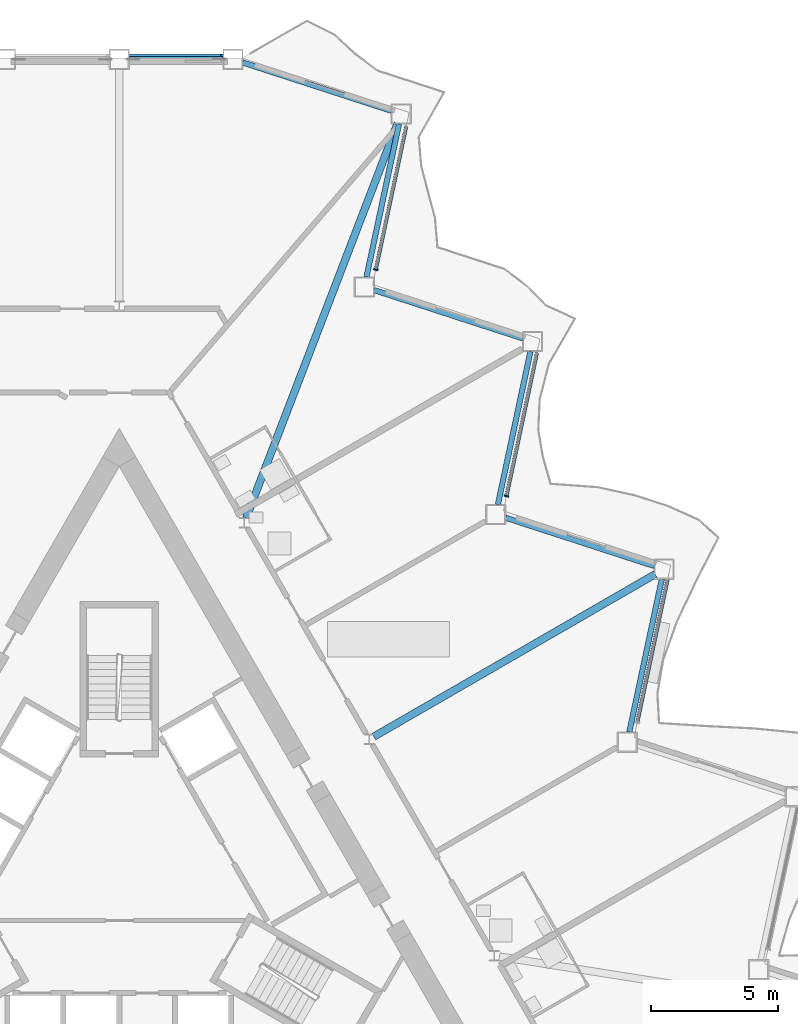
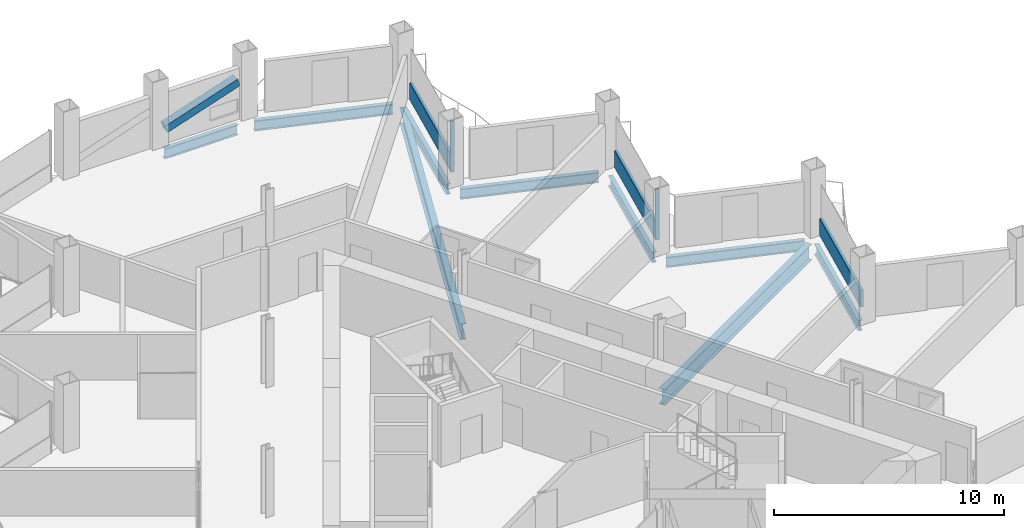
# One storey, part 8 of 22: 9 beams, 6 members, 3 elements without a shape of their own.
"""IFC4 building model written with IfcOpenShell, lengths in metres."""

from ifc_helpers import new_model, si_unit, direction, frame, origin, origin_2d, place, context, subcontext, project, spatial, rectangle, hollow_rectangle, i_section, extrude, material, layer, layer_set, material_profile, profile_set, type_object, element, aggregate, save


model = new_model("IFC4")

# Units and contexts
model_context = context("Model", 3, precision=1e-05, world=origin(), true_north=direction((0.0, 1.0)))
body_context = subcontext(model_context, "Body", "Model", "MODEL_VIEW")
ifc_project = project(units=[si_unit("LENGTHUNIT", "METRE"), si_unit("AREAUNIT", "SQUARE_METRE"), si_unit("VOLUMEUNIT", "CUBIC_METRE"), si_unit("PLANEANGLEUNIT", "RADIAN"), si_unit("MASSUNIT", "GRAM", prefix="KILO")], contexts=[model_context])

# Site, building, storey
site_placement = place(None, origin())
site = spatial("IfcSite", under=ifc_project, at=site_placement, CompositionType="ELEMENT")
building_placement = place(site_placement, origin())
building = spatial("IfcBuilding", under=site, at=building_placement, Name="Cormorant Prow Tower", CompositionType="ELEMENT")
storey_placement = place(building_placement, frame((0.0, 0.0, 190.800048828125)))
storey = spatial("IfcBuildingStorey", under=building, at=storey_placement, Name="L41", CompositionType="ELEMENT", Elevation=190.800048828125)

# Member
ifc_material_1 = material(Name="Structural steel ASTM A500 Gr C", Category="steel")
ifc_material_profile_1 = material_profile(ifc_material_1, hollow_rectangle(XDim=0.406494140625, YDim=0.406494140625, WallThickness=0.01171875, at=origin_2d()), Name="HSS16x16x1/2")
ifc_profile_set_1 = profile_set([ifc_material_profile_1], Name="Structural steel ASTM A500 Gr C")
member_type_1 = type_object("IfcMemberType", Name="Chamfer brace HSS16x16x1/2", PredefinedType="BRACE", material=ifc_profile_set_1)
member_1_placement = place(storey_placement, frame((0.417236328125, 32.3994140625, 0.739990234375), z_axis=(0.947999999098, 0.0, 0.318270328039), x_axis=(0.0, 1.0, 0.0)))
element("IfcMember", 1, at=member_1_placement, inside=storey, type_object=member_type_1, Name="Chamfer brace BR2 at N00 L41", PredefinedType="BRACE", context=body_context, shape_type="SweptSolid", body=[
    extrude(hollow_rectangle(XDim=0.406494140625, YDim=0.406494140625, WallThickness=0.01171875, at=origin_2d()), origin(), (0.0, 0.0, 1.0), 3.83544921875),
])

# Curtain wall, member
ifc_material_2 = material(Name="Aluminium 6063-T6", Category="aluminium")
ifc_layer = layer(ifc_material_2, 0.179931640625)
ifc_layer_set = layer_set([ifc_layer], Name="Aluminium 6063-T6")
curtain_wall_type = type_object("IfcCurtainWallType", Name="Hotel unitised curtain wall 180", PredefinedType="NOTDEFINED", material=ifc_layer_set)
curtain_wall_1_placement = place(storey_placement, origin())
curtain_wall_1 = element("IfcCurtainWall", 2, at=curtain_wall_1_placement, inside=storey, type_object=curtain_wall_type, Name="Hotel curtain wall ENE06", PredefinedType="NOTDEFINED")
ifc_material_3 = material(Name="Aluminium 6063-T6", Category="aluminium")
ifc_material_profile_2 = material_profile(ifc_material_3, rectangle(XDim=0.179931640625, YDim=0.06005859375, at=origin_2d()), Name="Hotel mullion 60x180")
ifc_profile_set_2 = profile_set([ifc_material_profile_2], Name="Aluminium 6063-T6")
member_type_2 = type_object("IfcMemberType", Name="Hotel mullion 60x180", PredefinedType="MULLION", material=ifc_profile_set_2)
member_2_placement = place(storey_placement, frame((15.22119140625, 15.234619140625, 0.0), z_axis=(0.0, 0.0, 1.0), x_axis=(-0.978147607432, 0.207911659303, 0.0)))
member_2 = element("IfcMember", 3, at=member_2_placement, type_object=member_type_2, Name="Hotel mullion ENE06", PredefinedType="MULLION", context=body_context, shape_type="SweptSolid", body=[
    extrude(rectangle(XDim=0.179931640625, YDim=0.06005859375, at=origin_2d()), origin(), (0.0, 0.0, 1.0), 2.700927734375),
])

curtain_wall_2_placement = place(storey_placement, origin())
curtain_wall_2 = element("IfcCurtainWall", 4, at=curtain_wall_2_placement, inside=storey, type_object=curtain_wall_type, Name="Hotel curtain wall ENE08", PredefinedType="NOTDEFINED")
member_3_placement = place(storey_placement, frame((10.08251953125, 24.134765625, 0.0), z_axis=(0.0, 0.0, 1.0), x_axis=(-0.978147607432, 0.207911659303, 0.0)))
member_3 = element("IfcMember", 5, at=member_3_placement, type_object=member_type_2, Name="Hotel mullion ENE08", PredefinedType="MULLION", context=body_context, shape_type="SweptSolid", body=[
    extrude(rectangle(XDim=0.179931640625, YDim=0.06005859375, at=origin_2d()), origin(), (0.0, 0.0, 1.0), 2.700927734375),
])

curtain_wall_3_placement = place(storey_placement, origin())
curtain_wall_3 = element("IfcCurtainWall", 6, at=curtain_wall_3_placement, inside=storey, type_object=curtain_wall_type, Name="Hotel curtain wall ENE04", PredefinedType="NOTDEFINED")
ifc_material_4 = material(Name="Terracotta", Category="masonry")
ifc_material_profile_3 = material_profile(ifc_material_4, rectangle(XDim=0.139892578125, YDim=0.89990234375, at=origin_2d()), Name="Hotel terracotta spandrel rail 140x900")
ifc_profile_set_3 = profile_set([ifc_material_profile_3], Name="Terracotta")
member_type_3 = type_object("IfcMemberType", Name="Hotel terracotta spandrel rail 140x900", PredefinedType="USERDEFINED", material=ifc_profile_set_3)
member_4_placement = place(storey_placement, frame((20.365966796875, 6.36376953125, 0.449951171875), z_axis=(0.207875606044, 0.978155270093, 0.0), x_axis=(-0.978155270093, 0.207875606044, 0.0)))
member_4 = element("IfcMember", 7, at=member_4_placement, type_object=member_type_3, Name="Hotel spandrel rail ENE04", ObjectType="TRANSOM", PredefinedType="USERDEFINED", context=body_context, shape_type="SweptSolid", body=[
    extrude(rectangle(XDim=0.139892578125, YDim=0.89990234375, at=origin_2d()), origin(), (0.0, 0.0, 1.0), 5.718505859375),
])
aggregate(curtain_wall_3, [member_4])

# Member
member_5_placement = place(storey_placement, frame((15.227294921875, 15.263916015625, 0.449951171875), z_axis=(0.207916454305, 0.978146588211, 0.0), x_axis=(-0.978146588211, 0.207916454305, 0.0)))
member_5 = element("IfcMember", 8, at=member_5_placement, type_object=member_type_3, Name="Hotel spandrel rail ENE06", ObjectType="TRANSOM", PredefinedType="USERDEFINED", context=body_context, shape_type="SweptSolid", body=[
    extrude(rectangle(XDim=0.139892578125, YDim=0.89990234375, at=origin_2d()), origin(), (0.0, 0.0, 1.0), 5.718505859375),
])

aggregate(curtain_wall_1, [member_2, member_5])

member_6_placement = place(storey_placement, frame((10.0888671875, 24.1640625, 0.449951171875), z_axis=(0.207916454305, 0.978146588211, 0.0), x_axis=(-0.978146588211, 0.207916454305, 0.0)))
member_6 = element("IfcMember", 9, at=member_6_placement, type_object=member_type_3, Name="Hotel spandrel rail ENE08", ObjectType="TRANSOM", PredefinedType="USERDEFINED", context=body_context, shape_type="SweptSolid", body=[
    extrude(rectangle(XDim=0.139892578125, YDim=0.89990234375, at=origin_2d()), origin(), (0.0, 0.0, 1.0), 5.718505859375),
])

aggregate(curtain_wall_2, [member_3, member_6])

# Beams
ifc_material_5 = material(Name="Structural steel ASTM A992 Gr 50", Category="steel")
ifc_material_profile_4 = material_profile(ifc_material_5, i_section(OverallWidth=0.29296875, OverallDepth=0.845703125, WebThickness=0.015380859375, FlangeThickness=0.0244140625, at=origin_2d()), Name="W33x141")
ifc_profile_set_4 = profile_set([ifc_material_profile_4], Name="Structural steel ASTM A992 Gr 50")
beam_type_1 = type_object("IfcBeamType", Name="Radial floor beam W33x141", PredefinedType="BEAM", material=ifc_profile_set_4)
beam_1_placement = place(storey_placement, frame((10.0048828125, 5.7763671875, -0.77294921875), z_axis=(0.866026069776, 0.499998846467, 0.0), x_axis=(-0.499998846467, 0.866026069776, 0.0)))
element("IfcBeam", 10, at=beam_1_placement, inside=storey, type_object=beam_type_1, Name="Radial floor beam FB2 11 L41", PredefinedType="BEAM", context=body_context, shape_type="SweptSolid", body=[
    extrude(i_section(OverallWidth=0.29296875, OverallDepth=0.845703125, WebThickness=0.015380859375, FlangeThickness=0.0244140625, at=origin_2d()), origin(), (0.0, 0.0, 1.0), 12.76904296875),
])
beam_2_placement = place(storey_placement, frame((4.9873046875, 14.376220703125, -0.77294921875), z_axis=(0.358301123829, 0.933606075742, 0.0), x_axis=(-0.933606075742, 0.358301123829, 0.0)))
element("IfcBeam", 11, at=beam_2_placement, inside=storey, type_object=beam_type_1, Name="Radial floor beam FB2 12 L41", PredefinedType="BEAM", context=body_context, shape_type="SweptSolid", body=[
    extrude(i_section(OverallWidth=0.29296875, OverallDepth=0.845703125, WebThickness=0.015380859375, FlangeThickness=0.0244140625, at=origin_2d()), origin(), (0.0, 0.0, 1.0), 16.604736328125),
])
ifc_material_6 = material(Name="Structural steel ASTM A992 Gr 50", Category="steel")
ifc_material_profile_5 = material_profile(ifc_material_6, i_section(OverallWidth=0.2138671875, OverallDepth=0.549072265625, WebThickness=0.0146484375, FlangeThickness=0.023681640625, at=origin_2d()), Name="W21x93")
ifc_profile_set_5 = profile_set([ifc_material_profile_5], Name="Structural steel ASTM A992 Gr 50")
beam_type_2 = type_object("IfcBeamType", Name="Spandrel beam W21x93", PredefinedType="SPANDREL", material=ifc_profile_set_5)
beam_3_placement = place(storey_placement, frame((20.0478515625, 5.9541015625, -0.62451171875), z_axis=(0.207904811195, 0.978149063018, 0.0), x_axis=(-0.978149063018, 0.207904811195, 0.0)))
element("IfcBeam", 12, at=beam_3_placement, inside=storey, type_object=beam_type_2, Name="Spandrel beam SB2 ENE04-ENE05 L41", PredefinedType="SPANDREL", context=body_context, shape_type="SweptSolid", body=[
    extrude(i_section(OverallWidth=0.2138671875, OverallDepth=0.549072265625, WebThickness=0.0146484375, FlangeThickness=0.023681640625, at=origin_2d()), origin(), (0.0, 0.0, 1.0), 6.149658203125),
])
beam_4_placement = place(storey_placement, frame((21.029052734375, 12.484375, -0.62451171875), z_axis=(-0.951057696564, 0.309013361859, 0.0), x_axis=(-0.309013361859, -0.951057696564, 0.0)))
element("IfcBeam", 13, at=beam_4_placement, inside=storey, type_object=beam_type_2, Name="Spandrel beam SB2 ENE05-ENE06 L41", PredefinedType="SPANDREL", context=body_context, shape_type="SweptSolid", body=[
    extrude(i_section(OverallWidth=0.2138671875, OverallDepth=0.549072265625, WebThickness=0.0146484375, FlangeThickness=0.023681640625, at=origin_2d()), origin(), (0.0, 0.0, 1.0), 6.14990234375),
])
beam_5_placement = place(storey_placement, frame((14.883056640625, 14.899658203125, -0.62451171875), z_axis=(0.207904811195, 0.978149063018, 0.0), x_axis=(-0.978149063018, 0.207904811195, 0.0)))
element("IfcBeam", 14, at=beam_5_placement, inside=storey, type_object=beam_type_2, Name="Spandrel beam SB2 ENE06-ENE07 L41", PredefinedType="SPANDREL", context=body_context, shape_type="SweptSolid", body=[
    extrude(i_section(OverallWidth=0.2138671875, OverallDepth=0.549072265625, WebThickness=0.0146484375, FlangeThickness=0.023681640625, at=origin_2d()), origin(), (0.0, 0.0, 1.0), 6.149658203125),
])
beam_6_placement = place(storey_placement, frame((15.864501953125, 21.429931640625, -0.62451171875), z_axis=(-0.951057696564, 0.309013361859, 0.0), x_axis=(-0.309013361859, -0.951057696564, 0.0)))
element("IfcBeam", 15, at=beam_6_placement, inside=storey, type_object=beam_type_2, Name="Spandrel beam SB2 ENE07-ENE08 L41", PredefinedType="SPANDREL", context=body_context, shape_type="SweptSolid", body=[
    extrude(i_section(OverallWidth=0.2138671875, OverallDepth=0.549072265625, WebThickness=0.0146484375, FlangeThickness=0.023681640625, at=origin_2d()), origin(), (0.0, 0.0, 1.0), 6.14990234375),
])
beam_7_placement = place(storey_placement, frame((9.71826171875, 23.84521484375, -0.62451171875), z_axis=(0.207904811195, 0.978149063018, 0.0), x_axis=(-0.978149063018, 0.207904811195, 0.0)))
element("IfcBeam", 16, at=beam_7_placement, inside=storey, type_object=beam_type_2, Name="Spandrel beam SB2 ENE08-ENE09 L41", PredefinedType="SPANDREL", context=body_context, shape_type="SweptSolid", body=[
    extrude(i_section(OverallWidth=0.2138671875, OverallDepth=0.549072265625, WebThickness=0.0146484375, FlangeThickness=0.023681640625, at=origin_2d()), origin(), (0.0, 0.0, 1.0), 6.149658203125),
])
beam_8_placement = place(storey_placement, frame((10.69970703125, 30.37548828125, -0.62451171875), z_axis=(-0.951057696564, 0.309013361859, 0.0), x_axis=(-0.309013361859, -0.951057696564, 0.0)))
element("IfcBeam", 17, at=beam_8_placement, inside=storey, type_object=beam_type_2, Name="Spandrel beam SB2 ENE09-N00 L41", PredefinedType="SPANDREL", context=body_context, shape_type="SweptSolid", body=[
    extrude(i_section(OverallWidth=0.2138671875, OverallDepth=0.549072265625, WebThickness=0.0146484375, FlangeThickness=0.023681640625, at=origin_2d()), origin(), (0.0, 0.0, 1.0), 6.14990234375),
])
beam_9_placement = place(storey_placement, frame((4.0703125, 32.3994140625, -0.62451171875), z_axis=(-1.0, 0.0, 0.0), x_axis=(0.0, -1.0, 0.0)))
element("IfcBeam", 18, at=beam_9_placement, inside=storey, type_object=beam_type_2, Name="Spandrel beam SB2 N00-N01 L41", PredefinedType="SPANDREL", context=body_context, shape_type="SweptSolid", body=[
    extrude(i_section(OverallWidth=0.2138671875, OverallDepth=0.549072265625, WebThickness=0.0146484375, FlangeThickness=0.023681640625, at=origin_2d()), origin(), (0.0, 0.0, 1.0), 3.67041015625),
])

save(model, "model.ifc")
